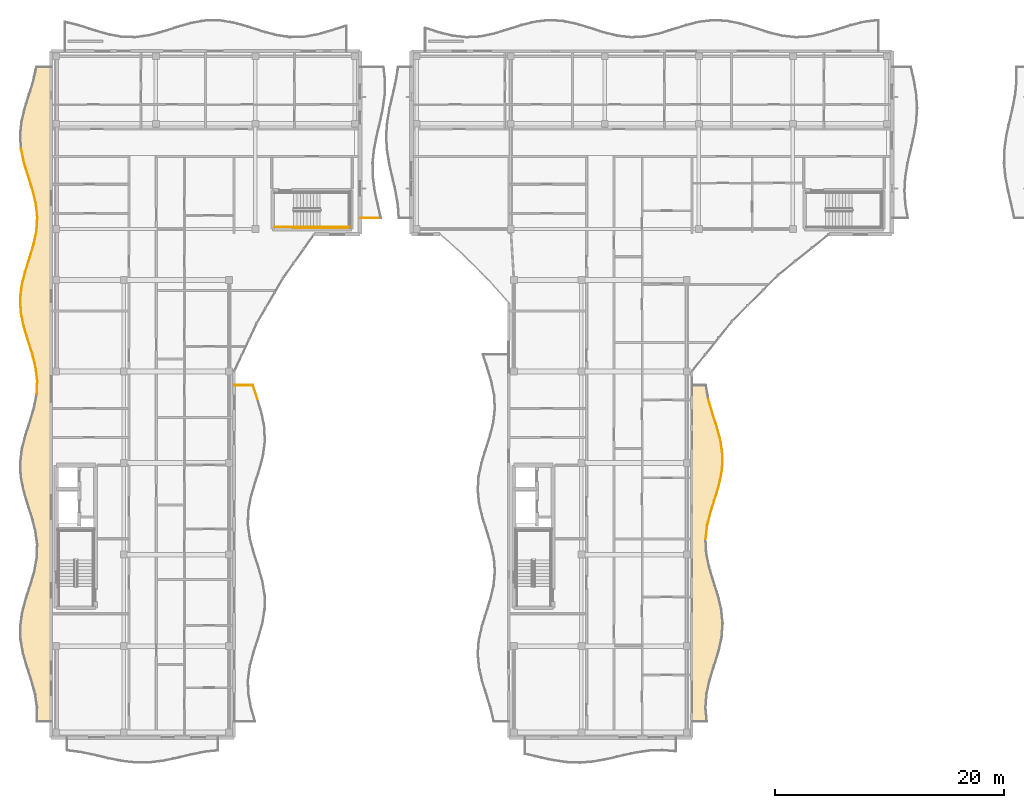
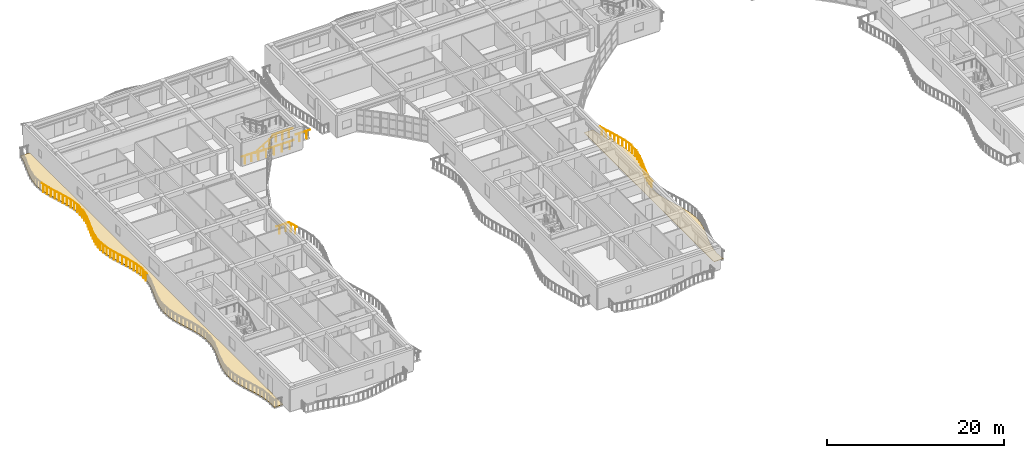
# One storey, part 55 of 76: 35 railings, 2 coverings.
"""IFC4 building model written with IfcOpenShell, lengths in metres."""

from ifc_helpers import new_model, si_unit, direction, frame, origin, origin_2d, place, context, subcontext, project, spatial, polyline, circle, outline, extrude, material, layer, layer_set, type_object, element, save


model = new_model("IFC4")

# Units and contexts
model_context = context("Model", 3, precision=1e-05, world=origin(), true_north=direction((0.0, 1.0)))
body_context = subcontext(model_context, "Body", "Model", "MODEL_VIEW")
ifc_project = project(units=[si_unit("LENGTHUNIT", "METRE"), si_unit("AREAUNIT", "SQUARE_METRE"), si_unit("VOLUMEUNIT", "CUBIC_METRE"), si_unit("PLANEANGLEUNIT", "RADIAN"), si_unit("MASSUNIT", "GRAM", prefix="KILO")], contexts=[model_context])

# Site, building, storey
site_placement = place(None, origin())
site = spatial("IfcSite", under=ifc_project, at=site_placement, CompositionType="ELEMENT")
building_placement = place(site_placement, origin())
building = spatial("IfcBuilding", under=site, at=building_placement, Name="Keldmere Railside Commons", CompositionType="ELEMENT")
storey_placement = place(building_placement, frame((0.0, 0.0, 13.760009765625)))
storey = spatial("IfcBuildingStorey", under=building, at=storey_placement, Name="L04", CompositionType="ELEMENT", Elevation=13.760009765625)

# Railings
ifc_material_1 = material(Name="Steel F-24 (S235)", Category="steel")
railing_type_1 = type_object("IfcRailingType", Name="Balcony & Terrace Steel Balustrade 1100", PredefinedType="BALUSTRADE", material=ifc_material_1)
railing_1_placement = place(storey_placement, frame((26.035400390625, 85.574951171875, 0.0)))
element("IfcRailing", 1, at=railing_1_placement, inside=storey, type_object=railing_type_1, Name="GR-1 GRD-L04-0425", PredefinedType="BALUSTRADE", context=body_context, shape_type="SweptSolid", body=[
    extrude(circle(Radius=0.02392578125, at=origin_2d()), frame((0.0, 0.0, 1.076171875), z_axis=(-0.304300420792, 0.952576114495, 0.0), x_axis=(-0.952576114495, -0.304300420792, 0.0)), (0.0, 0.0, 1.0), 1.2861328125),
    extrude(circle(Radius=0.02099609375, at=origin_2d()), frame((-0.097900390625, 0.30615234375, 0.0)), (0.0, 0.0, 1.0), 1.048095703125),
    extrude(circle(Radius=0.02099609375, at=origin_2d()), frame((-0.29345703125, 0.9189453125, 0.0)), (0.0, 0.0, 1.0), 1.048095703125),
])
railing_2_placement = place(storey_placement, frame((25.64404296875, 86.800048828125, 0.0)))
element("IfcRailing", 2, at=railing_2_placement, inside=storey, type_object=railing_type_1, Name="GR-1 GRD-L04-0426", PredefinedType="BALUSTRADE", context=body_context, shape_type="SweptSolid", body=[
    extrude(circle(Radius=0.02392578125, at=origin_2d()), frame((0.0, 0.0, 1.076171875), z_axis=(-1.0, 0.0, 0.0), x_axis=(0.0, -1.0, 0.0)), (0.0, 0.0, 1.0), 1.64404296875),
    extrude(circle(Radius=0.02099609375, at=origin_2d()), frame((-0.4111328125, 0.0, 0.0)), (0.0, 0.0, 1.0), 1.048095703125),
    extrude(circle(Radius=0.02099609375, at=origin_2d()), frame((-1.23291015625, 0.0, 0.0)), (0.0, 0.0, 1.0), 1.048095703125),
])
railing_3_placement = place(storey_placement, frame((6.740966796875, 86.0, 0.0)))
element("IfcRailing", 3, at=railing_3_placement, inside=storey, type_object=railing_type_1, Name="GR-1 GRD-L04-0452", PredefinedType="BALUSTRADE", context=body_context, shape_type="SweptSolid", body=[
    extrude(circle(Radius=0.02392578125, at=origin_2d()), frame((0.0, 0.0, 1.076171875), z_axis=(0.045027016861, 0.998985769545, 0.0), x_axis=(-0.998985769545, 0.045027016861, 0.0)), (0.0, 0.0, 1.0), 1.19287109375),
    extrude(circle(Radius=0.02099609375, at=origin_2d()), frame((0.013427734375, 0.2978515625, 0.0)), (0.0, 0.0, 1.0), 1.048095703125),
    extrude(circle(Radius=0.02099609375, at=origin_2d()), frame((0.040283203125, 0.893798828125, 0.0)), (0.0, 0.0, 1.0), 1.048095703125),
])
railing_4_placement = place(storey_placement, frame((6.794677734375, 87.191650390625, 0.0)))
element("IfcRailing", 4, at=railing_4_placement, inside=storey, type_object=railing_type_1, Name="GR-1 GRD-L04-0453", PredefinedType="BALUSTRADE", context=body_context, shape_type="SweptSolid", body=[
    extrude(circle(Radius=0.02392578125, at=origin_2d()), frame((0.0, 0.0, 1.076171875), z_axis=(-0.119201368185, 0.992870099168, 0.0), x_axis=(-0.992870099168, -0.119201368185, 0.0)), (0.0, 0.0, 1.0), 1.2001953125),
    extrude(circle(Radius=0.02099609375, at=origin_2d()), frame((-0.03564453125, 0.2978515625, 0.0)), (0.0, 0.0, 1.0), 1.048095703125),
    extrude(circle(Radius=0.02099609375, at=origin_2d()), frame((-0.107421875, 0.893798828125, 0.0)), (0.0, 0.0, 1.0), 1.048095703125),
])
railing_5_placement = place(storey_placement, frame((6.651611328125, 88.38330078125, 0.0)))
element("IfcRailing", 5, at=railing_5_placement, inside=storey, type_object=railing_type_1, Name="GR-1 GRD-L04-0454", PredefinedType="BALUSTRADE", context=body_context, shape_type="SweptSolid", body=[
    extrude(circle(Radius=0.02392578125, at=origin_2d()), frame((0.0, 0.0, 1.076171875), z_axis=(-0.245851792615, 0.969307431142, 0.0), x_axis=(-0.969307431142, -0.245851792615, 0.0)), (0.0, 0.0, 1.0), 1.2294921875),
    extrude(circle(Radius=0.02099609375, at=origin_2d()), frame((-0.07568359375, 0.2978515625, 0.0)), (0.0, 0.0, 1.0), 1.048095703125),
    extrude(circle(Radius=0.02099609375, at=origin_2d()), frame((-0.2265625, 0.893798828125, 0.0)), (0.0, 0.0, 1.0), 1.048095703125),
])
railing_6_placement = place(storey_placement, frame((6.349365234375, 89.574951171875, 0.0)))
element("IfcRailing", 6, at=railing_6_placement, inside=storey, type_object=railing_type_1, Name="GR-1 GRD-L04-0455", PredefinedType="BALUSTRADE", context=body_context, shape_type="SweptSolid", body=[
    extrude(circle(Radius=0.02392578125, at=origin_2d()), frame((0.0, 0.0, 1.076171875), z_axis=(-0.3047898873, 0.95241961582, 0.0), x_axis=(-0.95241961582, -0.3047898873, 0.0)), (0.0, 0.0, 1.0), 1.251220703125),
    extrude(circle(Radius=0.02099609375, at=origin_2d()), frame((-0.09521484375, 0.2978515625, 0.0)), (0.0, 0.0, 1.0), 1.048095703125),
    extrude(circle(Radius=0.02099609375, at=origin_2d()), frame((-0.2861328125, 0.893798828125, 0.0)), (0.0, 0.0, 1.0), 1.048095703125),
])
railing_7_placement = place(storey_placement, frame((5.968017578125, 90.7666015625, 0.0)))
element("IfcRailing", 7, at=railing_7_placement, inside=storey, type_object=railing_type_1, Name="GR-1 GRD-L04-0456", PredefinedType="BALUSTRADE", context=body_context, shape_type="SweptSolid", body=[
    extrude(circle(Radius=0.02392578125, at=origin_2d()), frame((0.0, 0.0, 1.076171875), z_axis=(-0.288913016333, 0.957355351473, 0.0), x_axis=(-0.957355351473, -0.288913016333, 0.0)), (0.0, 0.0, 1.0), 1.24462890625),
    extrude(circle(Radius=0.02099609375, at=origin_2d()), frame((-0.08984375, 0.2978515625, 0.0)), (0.0, 0.0, 1.0), 1.048095703125),
    extrude(circle(Radius=0.02099609375, at=origin_2d()), frame((-0.269775390625, 0.893798828125, 0.0)), (0.0, 0.0, 1.0), 1.048095703125),
])
railing_8_placement = place(storey_placement, frame((5.6083984375, 91.958251953125, 0.0)))
element("IfcRailing", 8, at=railing_8_placement, inside=storey, type_object=railing_type_1, Name="GR-1 GRD-L04-0457", PredefinedType="BALUSTRADE", context=body_context, shape_type="SweptSolid", body=[
    extrude(circle(Radius=0.02392578125, at=origin_2d()), frame((0.0, 0.0, 1.076171875), z_axis=(-0.199743687926, 0.979848181676, 0.0), x_axis=(-0.979848181676, -0.199743687926, 0.0)), (0.0, 0.0, 1.0), 1.216064453125),
    extrude(circle(Radius=0.02099609375, at=origin_2d()), frame((-0.060791015625, 0.2978515625, 0.0)), (0.0, 0.0, 1.0), 1.048095703125),
    extrude(circle(Radius=0.02099609375, at=origin_2d()), frame((-0.18212890625, 0.893798828125, 0.0)), (0.0, 0.0, 1.0), 1.048095703125),
])
railing_9_placement = place(storey_placement, frame((5.365478515625, 93.14990234375, 0.0)))
element("IfcRailing", 9, at=railing_9_placement, inside=storey, type_object=railing_type_1, Name="GR-1 GRD-L04-0458", PredefinedType="BALUSTRADE", context=body_context, shape_type="SweptSolid", body=[
    extrude(circle(Radius=0.02392578125, at=origin_2d()), frame((0.0, 0.0, 1.076171875), z_axis=(-0.051753574582, 0.998659885806, 0.0), x_axis=(-0.998659885806, -0.051753574582, 0.0)), (0.0, 0.0, 1.0), 1.193603515625),
    extrude(circle(Radius=0.02099609375, at=origin_2d()), frame((-0.015380859375, 0.2978515625, 0.0)), (0.0, 0.0, 1.0), 1.048095703125),
    extrude(circle(Radius=0.02099609375, at=origin_2d()), frame((-0.04638671875, 0.89404296875, 0.0)), (0.0, 0.0, 1.0), 1.048095703125),
])
railing_10_placement = place(storey_placement, frame((5.3037109375, 94.341796875, 0.0)))
element("IfcRailing", 10, at=railing_10_placement, inside=storey, type_object=railing_type_1, Name="GR-1 GRD-L04-0459", PredefinedType="BALUSTRADE", context=body_context, shape_type="SweptSolid", body=[
    extrude(circle(Radius=0.02392578125, at=origin_2d()), frame((0.0, 0.0, 1.076171875), z_axis=(0.112800043116, 0.993617708313, 0.0), x_axis=(-0.993617708313, 0.112800043116, 0.0)), (0.0, 0.0, 1.0), 1.198974609375),
    extrude(circle(Radius=0.02099609375, at=origin_2d()), frame((0.03369140625, 0.2978515625, 0.0)), (0.0, 0.0, 1.0), 1.048095703125),
    extrude(circle(Radius=0.02099609375, at=origin_2d()), frame((0.1015625, 0.8935546875, 0.0)), (0.0, 0.0, 1.0), 1.048095703125),
])
railing_11_placement = place(storey_placement, frame((5.43896484375, 95.533203125, 0.0)))
element("IfcRailing", 11, at=railing_11_placement, inside=storey, type_object=railing_type_1, Name="GR-1 GRD-L04-0460", PredefinedType="BALUSTRADE", context=body_context, shape_type="SweptSolid", body=[
    extrude(circle(Radius=0.02392578125, at=origin_2d()), frame((0.0, 0.0, 1.076171875), z_axis=(0.241506557276, 0.970399187341, 0.0), x_axis=(-0.970399187341, 0.241506557276, 0.0)), (0.0, 0.0, 1.0), 1.228271484375),
    extrude(circle(Radius=0.02099609375, at=origin_2d()), frame((0.07421875, 0.2978515625, 0.0)), (0.0, 0.0, 1.0), 1.048095703125),
    extrude(circle(Radius=0.02099609375, at=origin_2d()), frame((0.222412109375, 0.89404296875, 0.0)), (0.0, 0.0, 1.0), 1.048095703125),
])
railing_12_placement = place(storey_placement, frame((5.735595703125, 96.72509765625, 0.0)))
element("IfcRailing", 12, at=railing_12_placement, inside=storey, type_object=railing_type_1, Name="GR-1 GRD-L04-0461", PredefinedType="BALUSTRADE", context=body_context, shape_type="SweptSolid", body=[
    extrude(circle(Radius=0.02392578125, at=origin_2d()), frame((0.0, 0.0, 1.076171875), z_axis=(0.303727312102, 0.952759004095, 0.0), x_axis=(-0.952759004095, 0.303727312102, 0.0)), (0.0, 0.0, 1.0), 1.250732421875),
    extrude(circle(Radius=0.02099609375, at=origin_2d()), frame((0.094970703125, 0.2978515625, 0.0)), (0.0, 0.0, 1.0), 1.048095703125),
    extrude(circle(Radius=0.02099609375, at=origin_2d()), frame((0.284912109375, 0.893798828125, 0.0)), (0.0, 0.0, 1.0), 1.048095703125),
])
railing_13_placement = place(storey_placement, frame((6.115478515625, 97.916748046875, 0.0)))
element("IfcRailing", 13, at=railing_13_placement, inside=storey, type_object=railing_type_1, Name="GR-1 GRD-L04-0462", PredefinedType="BALUSTRADE", context=body_context, shape_type="SweptSolid", body=[
    extrude(circle(Radius=0.02392578125, at=origin_2d()), frame((0.0, 0.0, 1.076171875), z_axis=(0.291068020115, 0.956702361065, 0.0), x_axis=(-0.956702361065, 0.291068020115, 0.0)), (0.0, 0.0, 1.0), 1.24560546875),
    extrude(circle(Radius=0.02099609375, at=origin_2d()), frame((0.090576171875, 0.2978515625, 0.0)), (0.0, 0.0, 1.0), 1.048095703125),
    extrude(circle(Radius=0.02099609375, at=origin_2d()), frame((0.27197265625, 0.893798828125, 0.0)), (0.0, 0.0, 1.0), 1.048095703125),
])
railing_14_placement = place(storey_placement, frame((6.47802734375, 99.1083984375, 0.0)))
element("IfcRailing", 14, at=railing_14_placement, inside=storey, type_object=railing_type_1, Name="GR-1 GRD-L04-0463", PredefinedType="BALUSTRADE", context=body_context, shape_type="SweptSolid", body=[
    extrude(circle(Radius=0.02392578125, at=origin_2d()), frame((0.0, 0.0, 1.076171875), z_axis=(0.204939104595, 0.978774725566, 0.0), x_axis=(-0.978774725566, 0.204939104595, 0.0)), (0.0, 0.0, 1.0), 1.217529296875),
    extrude(circle(Radius=0.02099609375, at=origin_2d()), frame((0.0625, 0.2978515625, 0.0)), (0.0, 0.0, 1.0), 1.048095703125),
    extrude(circle(Radius=0.02099609375, at=origin_2d()), frame((0.18701171875, 0.893798828125, 0.0)), (0.0, 0.0, 1.0), 1.048095703125),
])
railing_15_placement = place(storey_placement, frame((6.7275390625, 100.300048828125, 0.0)))
element("IfcRailing", 15, at=railing_15_placement, inside=storey, type_object=railing_type_1, Name="GR-1 GRD-L04-0464", PredefinedType="BALUSTRADE", context=body_context, shape_type="SweptSolid", body=[
    extrude(circle(Radius=0.02392578125, at=origin_2d()), frame((0.0, 0.0, 1.076171875), z_axis=(0.058901857849, 0.998263778338, 0.0), x_axis=(-0.998263778338, 0.058901857849, 0.0)), (0.0, 0.0, 1.0), 1.193603515625),
    extrude(circle(Radius=0.02099609375, at=origin_2d()), frame((0.017578125, 0.2978515625, 0.0)), (0.0, 0.0, 1.0), 1.048095703125),
    extrude(circle(Radius=0.02099609375, at=origin_2d()), frame((0.052734375, 0.893798828125, 0.0)), (0.0, 0.0, 1.0), 1.048095703125),
])
railing_16_placement = place(storey_placement, frame((6.7978515625, 101.49169921875, 0.0)))
element("IfcRailing", 16, at=railing_16_placement, inside=storey, type_object=railing_type_1, Name="GR-1 GRD-L04-0465", PredefinedType="BALUSTRADE", context=body_context, shape_type="SweptSolid", body=[
    extrude(circle(Radius=0.02392578125, at=origin_2d()), frame((0.0, 0.0, 1.076171875), z_axis=(-0.10633891217, 0.994329943107, 0.0), x_axis=(-0.994329943107, -0.10633891217, 0.0)), (0.0, 0.0, 1.0), 1.198486328125),
    extrude(circle(Radius=0.02099609375, at=origin_2d()), frame((-0.03173828125, 0.2978515625, 0.0)), (0.0, 0.0, 1.0), 1.048095703125),
    extrude(circle(Radius=0.02099609375, at=origin_2d()), frame((-0.095703125, 0.893798828125, 0.0)), (0.0, 0.0, 1.0), 1.048095703125),
])
railing_17_placement = place(storey_placement, frame((6.67041015625, 102.683349609375, 0.0)))
element("IfcRailing", 17, at=railing_17_placement, inside=storey, type_object=railing_type_1, Name="GR-1 GRD-L04-0466", PredefinedType="BALUSTRADE", context=body_context, shape_type="SweptSolid", body=[
    extrude(circle(Radius=0.02392578125, at=origin_2d()), frame((0.0, 0.0, 1.076171875), z_axis=(-0.237428050899, 0.97140512694, 0.0), x_axis=(-0.97140512694, -0.237428050899, 0.0)), (0.0, 0.0, 1.0), 1.226806640625),
    extrude(circle(Radius=0.02099609375, at=origin_2d()), frame((-0.07275390625, 0.2978515625, 0.0)), (0.0, 0.0, 1.0), 1.048095703125),
    extrude(circle(Radius=0.02099609375, at=origin_2d()), frame((-0.218505859375, 0.893798828125, 0.0)), (0.0, 0.0, 1.0), 1.048095703125),
])
railing_18_placement = place(storey_placement, frame((6.379150390625, 103.875, 0.0)))
element("IfcRailing", 18, at=railing_18_placement, inside=storey, type_object=railing_type_1, Name="GR-1 GRD-L04-0467", PredefinedType="BALUSTRADE", context=body_context, shape_type="SweptSolid", body=[
    extrude(circle(Radius=0.02392578125, at=origin_2d()), frame((0.0, 0.0, 1.076171875), z_axis=(-0.30266360236, 0.953097447172, 0.0), x_axis=(-0.953097447172, -0.30266360236, 0.0)), (0.0, 0.0, 1.0), 1.250244140625),
    extrude(circle(Radius=0.02099609375, at=origin_2d()), frame((-0.0947265625, 0.2978515625, 0.0)), (0.0, 0.0, 1.0), 1.048095703125),
    extrude(circle(Radius=0.02099609375, at=origin_2d()), frame((-0.28369140625, 0.893798828125, 0.0)), (0.0, 0.0, 1.0), 1.048095703125),
])
railing_19_placement = place(storey_placement, frame((6.000732421875, 105.066650390625, 0.0)))
element("IfcRailing", 19, at=railing_19_placement, inside=storey, type_object=railing_type_1, Name="GR-1 GRD-L04-0468", PredefinedType="BALUSTRADE", context=body_context, shape_type="SweptSolid", body=[
    extrude(circle(Radius=0.02392578125, at=origin_2d()), frame((0.0, 0.0, 1.076171875), z_axis=(-0.293039556621, 0.956100318092, 0.0), x_axis=(-0.956100318092, -0.293039556621, 0.0)), (0.0, 0.0, 1.0), 1.246337890625),
    extrude(circle(Radius=0.02099609375, at=origin_2d()), frame((-0.09130859375, 0.2978515625, 0.0)), (0.0, 0.0, 1.0), 1.048095703125),
    extrude(circle(Radius=0.02099609375, at=origin_2d()), frame((-0.27392578125, 0.893798828125, 0.0)), (0.0, 0.0, 1.0), 1.048095703125),
])
railing_20_placement = place(storey_placement, frame((5.635498046875, 106.25830078125, 0.0)))
element("IfcRailing", 20, at=railing_20_placement, inside=storey, type_object=railing_type_1, Name="GR-1 GRD-L04-0469", PredefinedType="BALUSTRADE", context=body_context, shape_type="SweptSolid", body=[
    extrude(circle(Radius=0.02392578125, at=origin_2d()), frame((0.0, 0.0, 1.076171875), z_axis=(-0.209925784708, 0.977717323624, 0.0), x_axis=(-0.977717323624, -0.209925784708, 0.0)), (0.0, 0.0, 1.0), 1.21875),
    extrude(circle(Radius=0.02099609375, at=origin_2d()), frame((-0.06396484375, 0.2978515625, 0.0)), (0.0, 0.0, 1.0), 1.048095703125),
    extrude(circle(Radius=0.02099609375, at=origin_2d()), frame((-0.19189453125, 0.893798828125, 0.0)), (0.0, 0.0, 1.0), 1.048095703125),
])
railing_21_placement = place(storey_placement, frame((35.0, 101.39990234375, 0.0)))
element("IfcRailing", 21, at=railing_21_placement, inside=storey, type_object=railing_type_1, Name="GR-1 GRD-L04-0477", PredefinedType="BALUSTRADE", context=body_context, shape_type="SweptSolid", body=[
    extrude(circle(Radius=0.02392578125, at=origin_2d()), frame((0.0, 0.0, 1.076171875), z_axis=(1.0, 0.0, 0.0), x_axis=(0.0, 1.0, 0.0)), (0.0, 0.0, 1.0), 1.834228515625),
    extrude(circle(Radius=0.02099609375, at=origin_2d()), frame((0.45849609375, 0.0, 0.0)), (0.0, 0.0, 1.0), 1.048095703125),
    extrude(circle(Radius=0.02099609375, at=origin_2d()), frame((1.375732421875, 0.0, 0.0)), (0.0, 0.0, 1.0), 1.048095703125),
])
railing_22_placement = place(storey_placement, frame((65.2041015625, 73.324951171875, 0.0)))
element("IfcRailing", 22, at=railing_22_placement, inside=storey, type_object=railing_type_1, Name="GR-1 GRD-L04-1226", PredefinedType="BALUSTRADE", context=body_context, shape_type="SweptSolid", body=[
    extrude(circle(Radius=0.02392578125, at=origin_2d()), frame((0.0, 0.0, 1.076171875), z_axis=(0.116186624915, 0.99322740004, 0.0), x_axis=(-0.99322740004, 0.116186624915, 0.0)), (0.0, 0.0, 1.0), 1.2333984375),
    extrude(circle(Radius=0.02099609375, at=origin_2d()), frame((0.035888671875, 0.30615234375, 0.0)), (0.0, 0.0, 1.0), 1.048095703125),
    extrude(circle(Radius=0.02099609375, at=origin_2d()), frame((0.107421875, 0.9189453125, 0.0)), (0.0, 0.0, 1.0), 1.048095703125),
])
railing_23_placement = place(storey_placement, frame((65.347412109375, 74.550048828125, 0.0)))
element("IfcRailing", 23, at=railing_23_placement, inside=storey, type_object=railing_type_1, Name="GR-1 GRD-L04-1227", PredefinedType="BALUSTRADE", context=body_context, shape_type="SweptSolid", body=[
    extrude(circle(Radius=0.02392578125, at=origin_2d()), frame((0.0, 0.0, 1.076171875), z_axis=(0.246306513702, 0.96919198372, 0.0), x_axis=(-0.96919198372, 0.246306513702, 0.0)), (0.0, 0.0, 1.0), 1.263671875),
    extrude(circle(Radius=0.02099609375, at=origin_2d()), frame((0.077880859375, 0.30615234375, 0.0)), (0.0, 0.0, 1.0), 1.048095703125),
    extrude(circle(Radius=0.02099609375, at=origin_2d()), frame((0.2333984375, 0.918701171875, 0.0)), (0.0, 0.0, 1.0), 1.048095703125),
])
railing_24_placement = place(storey_placement, frame((65.65869140625, 75.77490234375, 0.0)))
element("IfcRailing", 24, at=railing_24_placement, inside=storey, type_object=railing_type_1, Name="GR-1 GRD-L04-1228", PredefinedType="BALUSTRADE", context=body_context, shape_type="SweptSolid", body=[
    extrude(circle(Radius=0.02392578125, at=origin_2d()), frame((0.0, 0.0, 1.076171875), z_axis=(0.305333404946, 0.952245510267, 0.0), x_axis=(-0.952245510267, 0.305333404946, 0.0)), (0.0, 0.0, 1.0), 1.28662109375),
    extrude(circle(Radius=0.02099609375, at=origin_2d()), frame((0.09814453125, 0.30615234375, 0.0)), (0.0, 0.0, 1.0), 1.048095703125),
    extrude(circle(Radius=0.02099609375, at=origin_2d()), frame((0.294677734375, 0.9189453125, 0.0)), (0.0, 0.0, 1.0), 1.048095703125),
])
railing_25_placement = place(storey_placement, frame((66.051513671875, 77.0, 0.0)))
element("IfcRailing", 25, at=railing_25_placement, inside=storey, type_object=railing_type_1, Name="GR-1 GRD-L04-1229", PredefinedType="BALUSTRADE", context=body_context, shape_type="SweptSolid", body=[
    extrude(circle(Radius=0.02392578125, at=origin_2d()), frame((0.0, 0.0, 1.076171875), z_axis=(0.285174216634, 0.95847569931, 0.0), x_axis=(-0.95847569931, 0.285174216634, 0.0)), (0.0, 0.0, 1.0), 1.278076171875),
    extrude(circle(Radius=0.02099609375, at=origin_2d()), frame((0.091064453125, 0.30615234375, 0.0)), (0.0, 0.0, 1.0), 1.048095703125),
    extrude(circle(Radius=0.02099609375, at=origin_2d()), frame((0.2734375, 0.9189453125, 0.0)), (0.0, 0.0, 1.0), 1.048095703125),
])
railing_26_placement = place(storey_placement, frame((66.416015625, 78.22509765625, 0.0)))
element("IfcRailing", 26, at=railing_26_placement, inside=storey, type_object=railing_type_1, Name="GR-1 GRD-L04-1230", PredefinedType="BALUSTRADE", context=body_context, shape_type="SweptSolid", body=[
    extrude(circle(Radius=0.02392578125, at=origin_2d()), frame((0.0, 0.0, 1.076171875), z_axis=(0.187939675171, 0.982180573264, 0.0), x_axis=(-0.982180573264, 0.187939675171, 0.0)), (0.0, 0.0, 1.0), 1.2470703125),
    extrude(circle(Radius=0.02099609375, at=origin_2d()), frame((0.05859375, 0.30615234375, 0.0)), (0.0, 0.0, 1.0), 1.048095703125),
    extrude(circle(Radius=0.02099609375, at=origin_2d()), frame((0.17578125, 0.918701171875, 0.0)), (0.0, 0.0, 1.0), 1.048095703125),
])
railing_27_placement = place(storey_placement, frame((66.650390625, 79.449951171875, 0.0)))
element("IfcRailing", 27, at=railing_27_placement, inside=storey, type_object=railing_type_1, Name="GR-1 GRD-L04-1231", PredefinedType="BALUSTRADE", context=body_context, shape_type="SweptSolid", body=[
    extrude(circle(Radius=0.02392578125, at=origin_2d()), frame((0.0, 0.0, 1.076171875), z_axis=(0.031869017262, 0.999492053865, 0.0), x_axis=(-0.999492053865, 0.031869017262, 0.0)), (0.0, 0.0, 1.0), 1.225830078125),
    extrude(circle(Radius=0.02099609375, at=origin_2d()), frame((0.009765625, 0.30615234375, 0.0)), (0.0, 0.0, 1.0), 1.048095703125),
    extrude(circle(Radius=0.02099609375, at=origin_2d()), frame((0.029296875, 0.9189453125, 0.0)), (0.0, 0.0, 1.0), 1.048095703125),
])
railing_28_placement = place(storey_placement, frame((66.689453125, 80.675048828125, 0.0)))
element("IfcRailing", 28, at=railing_28_placement, inside=storey, type_object=railing_type_1, Name="GR-1 GRD-L04-1232", PredefinedType="BALUSTRADE", context=body_context, shape_type="SweptSolid", body=[
    extrude(circle(Radius=0.02392578125, at=origin_2d()), frame((0.0, 0.0, 1.076171875), z_axis=(-0.135280648685, 0.990807320366, 0.0), x_axis=(-0.990807320366, -0.135280648685, 0.0)), (0.0, 0.0, 1.0), 1.236328125),
    extrude(circle(Radius=0.02099609375, at=origin_2d()), frame((-0.041748046875, 0.30615234375, 0.0)), (0.0, 0.0, 1.0), 1.048095703125),
    extrude(circle(Radius=0.02099609375, at=origin_2d()), frame((-0.12548828125, 0.918701171875, 0.0)), (0.0, 0.0, 1.0), 1.048095703125),
])
railing_29_placement = place(storey_placement, frame((66.522216796875, 81.89990234375, 0.0)))
element("IfcRailing", 29, at=railing_29_placement, inside=storey, type_object=railing_type_1, Name="GR-1 GRD-L04-1233", PredefinedType="BALUSTRADE", context=body_context, shape_type="SweptSolid", body=[
    extrude(circle(Radius=0.02392578125, at=origin_2d()), frame((0.0, 0.0, 1.076171875), z_axis=(-0.257818441298, 0.966193381951, 0.0), x_axis=(-0.966193381951, -0.257818441298, 0.0)), (0.0, 0.0, 1.0), 1.26806640625),
    extrude(circle(Radius=0.02099609375, at=origin_2d()), frame((-0.081787109375, 0.30615234375, 0.0)), (0.0, 0.0, 1.0), 1.048095703125),
    extrude(circle(Radius=0.02099609375, at=origin_2d()), frame((-0.2451171875, 0.9189453125, 0.0)), (0.0, 0.0, 1.0), 1.048095703125),
])
railing_30_placement = place(storey_placement, frame((66.1953125, 83.125, 0.0)))
element("IfcRailing", 30, at=railing_30_placement, inside=storey, type_object=railing_type_1, Name="GR-1 GRD-L04-1234", PredefinedType="BALUSTRADE", context=body_context, shape_type="SweptSolid", body=[
    extrude(circle(Radius=0.02392578125, at=origin_2d()), frame((0.0, 0.0, 1.076171875), z_axis=(-0.307052651276, 0.951692528785, 0.0), x_axis=(-0.951692528785, -0.307052651276, 0.0)), (0.0, 0.0, 1.0), 1.287353515625),
    extrude(circle(Radius=0.02099609375, at=origin_2d()), frame((-0.098876953125, 0.30615234375, 0.0)), (0.0, 0.0, 1.0), 1.048095703125),
    extrude(circle(Radius=0.02099609375, at=origin_2d()), frame((-0.29638671875, 0.9189453125, 0.0)), (0.0, 0.0, 1.0), 1.048095703125),
])
railing_31_placement = place(storey_placement, frame((65.800048828125, 84.35009765625, 0.0)))
element("IfcRailing", 31, at=railing_31_placement, inside=storey, type_object=railing_type_1, Name="GR-1 GRD-L04-1235", PredefinedType="BALUSTRADE", context=body_context, shape_type="SweptSolid", body=[
    extrude(circle(Radius=0.02392578125, at=origin_2d()), frame((0.0, 0.0, 1.076171875), z_axis=(-0.277123250275, 0.96083437915, 0.0), x_axis=(-0.96083437915, -0.277123250275, 0.0)), (0.0, 0.0, 1.0), 1.27490234375),
    extrude(circle(Radius=0.02099609375, at=origin_2d()), frame((-0.08837890625, 0.30615234375, 0.0)), (0.0, 0.0, 1.0), 1.048095703125),
    extrude(circle(Radius=0.02099609375, at=origin_2d()), frame((-0.264892578125, 0.918701171875, 0.0)), (0.0, 0.0, 1.0), 1.048095703125),
])
railing_type_2 = type_object("IfcRailingType", Name="Stair Well Steel Guardrail 1100", PredefinedType="BALUSTRADE", material=ifc_material_1)
railing_32_placement = place(storey_placement, frame((31.52001953125, 100.64990234375, 1.60009765625)))
element("IfcRailing", 32, at=railing_32_placement, inside=storey, type_object=railing_type_2, Name="L04 ST-D2 stair guard 3", PredefinedType="BALUSTRADE", context=body_context, shape_type="SweptSolid", body=[
    extrude(circle(Radius=0.02392578125, at=origin_2d()), frame((0.0, 0.0, 1.076171875), z_axis=(1.0, 0.0, 0.0), x_axis=(0.0, 1.0, 0.0)), (0.0, 0.0, 1.0), 2.580078125),
    extrude(circle(Radius=0.02099609375, at=origin_2d()), frame((0.429931640625, 0.0, 0.0)), (0.0, 0.0, 1.0), 1.048095703125),
    extrude(circle(Radius=0.02099609375, at=origin_2d()), frame((1.2900390625, 0.0, 0.0)), (0.0, 0.0, 1.0), 1.048095703125),
    extrude(circle(Radius=0.02099609375, at=origin_2d()), frame((2.150146484375, 0.0, 0.0)), (0.0, 0.0, 1.0), 1.048095703125),
])
railing_33_placement = place(storey_placement, frame((27.5, 100.64990234375, 0.0)))
element("IfcRailing", 33, at=railing_33_placement, inside=storey, type_object=railing_type_2, Name="L04 ST-D2 stair guard 8", PredefinedType="BALUSTRADE", context=body_context, shape_type="SweptSolid", body=[
    extrude(circle(Radius=0.02392578125, at=origin_2d()), frame((0.0, 0.0, 1.076171875), z_axis=(1.0, 0.0, 0.0), x_axis=(0.0, 1.0, 0.0)), (0.0, 0.0, 1.0), 1.699951171875),
    extrude(circle(Radius=0.02099609375, at=origin_2d()), frame((0.425048828125, 0.0, 0.0)), (0.0, 0.0, 1.0), 1.048095703125),
    extrude(circle(Radius=0.02099609375, at=origin_2d()), frame((1.27490234375, 0.0, 0.0)), (0.0, 0.0, 1.0), 1.048095703125),
])
railing_34_placement = place(storey_placement, frame((29.10009765625, 100.550048828125, 0.0)))
element("IfcRailing", 34, at=railing_34_placement, inside=storey, type_object=railing_type_2, Name="L04 ST-D2 stair guard 10", PredefinedType="BALUSTRADE", context=body_context, shape_type="SweptSolid", body=[
    extrude(circle(Radius=0.02392578125, at=origin_2d()), frame((0.0, 0.0, 1.076171875), z_axis=(1.0, 0.0, 0.0), x_axis=(0.0, 1.0, 0.0)), (0.0, 0.0, 1.0), 5.099853515625),
    extrude(circle(Radius=0.02099609375, at=origin_2d()), frame((0.510009765625, 0.0, 0.0)), (0.0, 0.0, 1.0), 1.048095703125),
    extrude(circle(Radius=0.02099609375, at=origin_2d()), frame((1.530029296875, 0.0, 0.0)), (0.0, 0.0, 1.0), 1.048095703125),
    extrude(circle(Radius=0.02099609375, at=origin_2d()), frame((2.5498046875, 0.0, 0.0)), (0.0, 0.0, 1.0), 1.048095703125),
    extrude(circle(Radius=0.02099609375, at=origin_2d()), frame((3.56982421875, 0.0, 0.0)), (0.0, 0.0, 1.0), 1.048095703125),
    extrude(circle(Radius=0.02099609375, at=origin_2d()), frame((4.58984375, 0.0, 0.0)), (0.0, 0.0, 1.0), 1.048095703125),
])
railing_type_3 = type_object("IfcRailingType", Name="Wall-Mounted Tubular Steel Handrail 900", PredefinedType="HANDRAIL", material=ifc_material_1)
railing_35_placement = place(storey_placement, frame((29.199951171875, 100.64990234375, 0.177734375)))
element("IfcRailing", 35, at=railing_35_placement, inside=storey, type_object=railing_type_3, Name="L04 ST-D2 stair handrail 1", PredefinedType="HANDRAIL", context=body_context, shape_type="SweptSolid", body=[
    extrude(circle(Radius=0.02392578125, at=origin_2d()), frame((0.0, 0.0, 0.8759765625), z_axis=(0.852538067394, 0.0, 0.522665135287), x_axis=(0.0, 1.0, 0.0)), (0.0, 0.0, 1.0), 2.721435546875),
    extrude(circle(Radius=0.02099609375, at=origin_2d()), frame((0.38671875, 0.0, 0.237060546875)), (0.0, 0.0, 1.0), 0.847900390625),
    extrude(circle(Radius=0.02099609375, at=origin_2d()), frame((1.16015625, 0.0, 0.711181640625)), (0.0, 0.0, 1.0), 0.847900390625),
    extrude(circle(Radius=0.02099609375, at=origin_2d()), frame((1.933349609375, 0.0, 1.185302734375)), (0.0, 0.0, 1.0), 0.847900390625),
])

# Coverings
ifc_material_2 = material(Name="White Precast Concrete C35/45", Category="concrete")
ifc_layer = layer(ifc_material_2, 0.044921875, Name="White Architectural Balcony Ribbon Cladding 45")
ifc_layer_set = layer_set([ifc_layer], Name="White Precast Concrete C35/45")
covering_type = type_object("IfcCoveringType", Name="White Architectural Balcony Ribbon Cladding 45", PredefinedType="FLOORING", material=ifc_layer_set)
covering_1_placement = place(storey_placement, origin())
element("IfcCovering", 36, at=covering_1_placement, inside=storey, type_object=covering_type, Name="CLG-WB D L04 CW White Balcony Ribbon", PredefinedType="FLOORING", context=body_context, shape_type="SweptSolid", body=[
    extrude(outline(polyline([(7.9599609375, 114.56005859375), (6.7451171875, 114.56005859375), (6.489990234375, 113.399658203125), (6.489013671875, 113.396484375), (6.12109375, 112.204833984375), (6.12109375, 112.20458984375), (5.744873046875, 111.014404296875), (5.4599609375, 109.82666015625), (5.34130859375, 108.64111328125), (5.41943359375, 107.45556640625), (5.674072265625, 106.268310546875), (6.038818359375, 105.07861328125), (6.417236328125, 103.88720703125), (6.41796875, 103.884521484375), (6.709228515625, 102.69287109375), (6.710205078125, 102.6875), (6.837646484375, 101.49609375), (6.837890625, 101.49267578125), (6.837646484375, 101.4892578125), (6.767333984375, 100.297607421875), (6.76708984375, 100.294677734375), (6.7666015625, 100.291748046875), (6.517333984375, 99.10009765625), (6.516357421875, 99.0966796875), (6.15380859375, 97.905029296875), (6.15380859375, 97.904541015625), (5.774169921875, 96.714111328125), (5.478271484375, 95.526123046875), (5.34375, 94.340576171875), (5.405517578125, 93.155029296875), (5.647216796875, 91.968017578125), (6.00634765625, 90.778564453125), (6.387451171875, 89.587158203125), (6.38818359375, 89.584716796875), (6.690185546875, 88.39306640625), (6.691162109375, 88.38818359375), (6.834228515625, 87.196533203125), (6.834716796875, 87.193115234375), (6.834716796875, 87.18994140625), (6.781005859375, 85.998291015625), (6.780517578125, 85.9951171875), (6.780029296875, 85.9921875), (6.543701171875, 84.800537109375), (6.54296875, 84.796875), (6.186279296875, 83.605224609375), (6.186279296875, 83.6044921875), (5.80419921875, 82.413818359375), (5.497802734375, 81.225830078125), (5.34765625, 80.039794921875), (5.392822265625, 78.8544921875), (5.621337890625, 77.667724609375), (5.973876953125, 76.478515625), (6.357177734375, 75.287353515625), (6.35791015625, 75.28515625), (6.669921875, 74.093505859375), (6.6708984375, 74.088623046875), (6.82958984375, 72.89697265625), (6.829833984375, 72.893798828125), (6.829833984375, 72.890380859375), (6.79296875, 71.69873046875), (6.792724609375, 71.69580078125), (6.792236328125, 71.692626953125), (6.569580078125, 70.5009765625), (6.568603515625, 70.4970703125), (6.218994140625, 69.305419921875), (6.218505859375, 69.304443359375), (5.834716796875, 68.11376953125), (5.518310546875, 66.92529296875), (5.35302734375, 65.739501953125), (5.38134765625, 64.55419921875), (5.596435546875, 63.367431640625), (5.941650390625, 62.178466796875), (6.326416015625, 60.9873046875), (6.326904296875, 60.9853515625), (6.648681640625, 59.793701171875), (6.649658203125, 59.7890625), (6.823486328125, 58.597412109375), (6.82373046875, 58.59423828125), (6.823974609375, 58.591064453125), (6.804443359375, 57.43994140625), (7.9599609375, 57.43994140625), (7.9599609375, 114.56005859375)])), origin(), (0.0, 0.0, 1.0), 0.044921875),
])
covering_2_placement = place(storey_placement, origin())
element("IfcCovering", 37, at=covering_2_placement, inside=storey, type_object=covering_type, Name="CLG-WB C L04 CE White Balcony Ribbon", PredefinedType="FLOORING", context=body_context, shape_type="SweptSolid", body=[
    extrude(outline(polyline([(65.160400390625, 58.621337890625), (65.160400390625, 58.624755859375), (65.160400390625, 58.628173828125), (65.25439453125, 59.85302734375), (65.255126953125, 59.85888671875), (65.531982421875, 61.083740234375), (65.532958984375, 61.0869140625), (65.915283203125, 62.31201171875), (66.29638671875, 63.535400390625), (66.569580078125, 64.755859375), (66.659423828125, 65.974609375), (66.541015625, 67.193359375), (66.247314453125, 68.414306640625), (65.859130859375, 69.637939453125), (65.85888671875, 69.63818359375), (65.4853515625, 70.86328125), (65.484375, 70.866943359375), (65.2294921875, 72.091796875), (65.22900390625, 72.094970703125), (65.228759765625, 72.097900390625), (65.1640625, 73.322998046875), (65.1640625, 73.326416015625), (65.164306640625, 73.32958984375), (65.3076171875, 74.5546875), (65.30859375, 74.559814453125), (65.6201171875, 75.784912109375), (65.62060546875, 75.787109375), (66.01318359375, 77.01171875), (66.376953125, 78.234619140625), (66.6103515625, 79.454345703125), (66.6494140625, 80.6728515625), (66.48291015625, 81.89208984375), (66.156982421875, 83.11376953125), (65.761962890625, 84.337646484375), (65.76171875, 84.3388671875), (65.408203125, 85.56396484375), (65.4072265625, 85.568115234375), (65.199951171875, 86.760009765625), (64.0400390625, 86.760009765625), (64.0400390625, 57.43994140625), (65.271484375, 57.43994140625), (65.160400390625, 58.621337890625)])), origin(), (0.0, 0.0, 1.0), 0.044921875),
])

save(model, "model.ifc")
